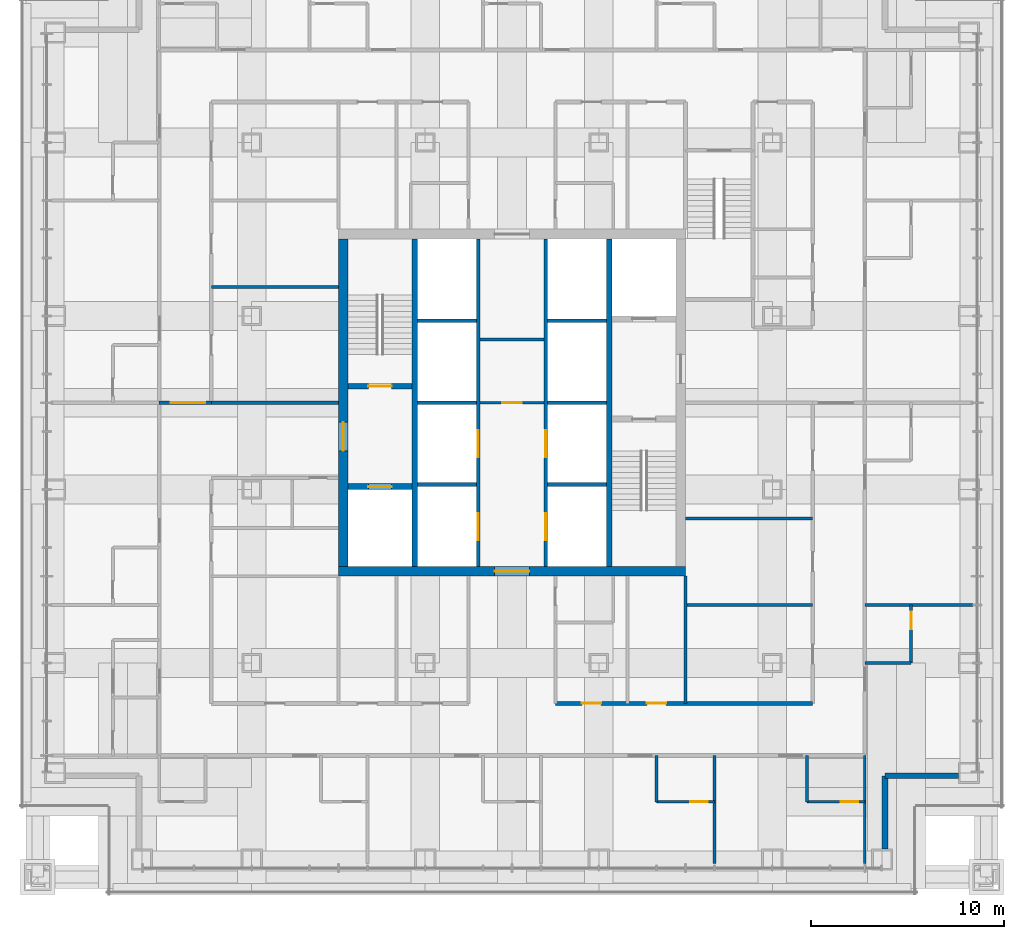
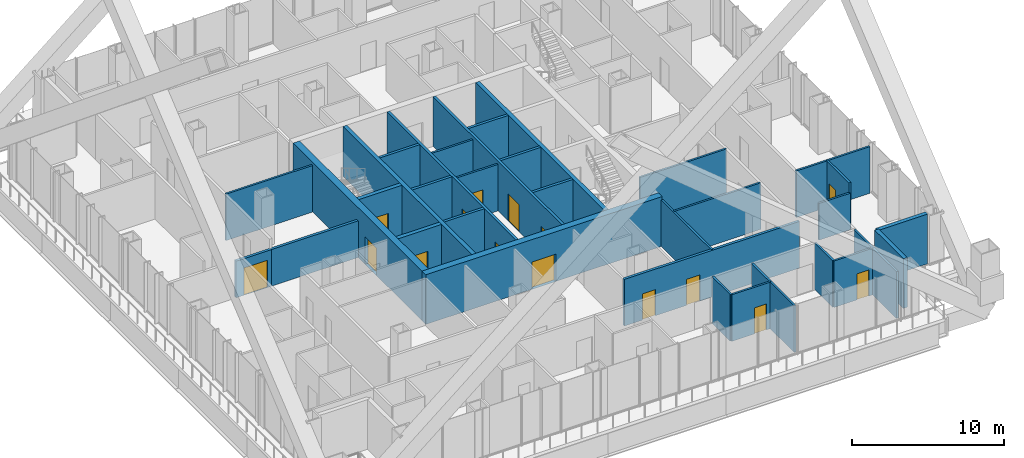
# One storey, part 16 of 20: 34 walls, 15 doors, 15 openings.
"""IFC4 building model written with IfcOpenShell, lengths in metres."""

from ifc_helpers import new_model, si_unit, direction, frame, frame_2d, origin, place, context, subcontext, project, spatial, rectangle, extrude, material, layer, layer_set, type_object, element, fill, save


model = new_model("IFC4")

# Units and contexts
model_context = context("Model", 3, precision=1e-05, world=origin(), true_north=direction((0.0, 1.0)))
body_context = subcontext(model_context, "Body", "Model", "MODEL_VIEW")
ifc_project = project(units=[si_unit("LENGTHUNIT", "METRE"), si_unit("AREAUNIT", "SQUARE_METRE"), si_unit("VOLUMEUNIT", "CUBIC_METRE"), si_unit("PLANEANGLEUNIT", "RADIAN"), si_unit("MASSUNIT", "GRAM", prefix="KILO")], contexts=[model_context])

# Site, building, storey
site_placement = place(None, origin())
site = spatial("IfcSite", under=ifc_project, at=site_placement, CompositionType="ELEMENT")
building_placement = place(site_placement, origin())
building = spatial("IfcBuilding", under=site, at=building_placement, Name="Malebo Sky Hospital", CompositionType="ELEMENT")
storey_placement = place(building_placement, frame((0.0, 0.0, 100.0)))
storey = spatial("IfcBuildingStorey", under=building, at=storey_placement, Name="L23", CompositionType="ELEMENT", Elevation=100.0)

# Wall, openings, doors
ifc_material_1 = material(Name="Concrete C80/95", Category="concrete")
ifc_layer_1 = layer(ifc_material_1, 0.199951171875)
ifc_layer_set_1 = layer_set([ifc_layer_1], Name="CORE INNER WALL 200")
wall_type_1 = type_object("IfcWallType", Name="CORE INNER WALL 200", PredefinedType="SHEAR", material=ifc_layer_set_1)
wall_1_placement = place(storey_placement, frame((58.25, 53.5, 0.0), z_axis=(0.0, 0.0, 1.0), x_axis=(0.0, 1.0, 0.0)))
wall_1 = element("IfcWall", 1, at=wall_1_placement, inside=storey, type_object=wall_type_1, Name="Core wall LW L23", PredefinedType="SHEAR", context=body_context, shape_type="SweptSolid", body=[
    extrude(rectangle(XDim=17.0, YDim=0.199951171875, at=frame_2d((8.5, 0.0))), origin(), (0.0, 0.0, 1.0), 4.0),
])
opening_1_placement = place(wall_1_placement, frame((1.375, 0.0, 0.0)))
opening_1 = element("IfcOpeningElement", 2, at=opening_1_placement, cuts=wall_1, Name="Opening LD1", PredefinedType="OPENING", context=body_context, shape_type="SweptSolid", body=[
    extrude(rectangle(XDim=1.39990234375, YDim=2.199951171875, at=frame_2d((0.699951171875, 1.10009765625))), frame((0.0, 0.10986328125, 0.0), z_axis=(0.0, -1.0, 0.0), x_axis=(1.0, 0.0, 0.0)), (0.0, 0.0, 1.0), 0.219970703125),
])
opening_2_placement = place(wall_1_placement, frame((5.675048828125, 0.0, 0.0)))
opening_2 = element("IfcOpeningElement", 3, at=opening_2_placement, cuts=wall_1, Name="Opening LD1", PredefinedType="OPENING", context=body_context, shape_type="SweptSolid", body=[
    extrude(rectangle(XDim=1.39990234375, YDim=2.199951171875, at=frame_2d((0.699951171875, 1.10009765625))), frame((0.0, 0.10986328125, 0.0), z_axis=(0.0, -1.0, 0.0), x_axis=(1.0, 0.0, 0.0)), (0.0, 0.0, 1.0), 0.219970703125),
])
ifc_material_2 = material(Name="Stainless steel sliding landing door", Category="steel")
door_type_1 = type_object("IfcDoorType", Name="LIFT LANDING DOOR 1400", OperationType="SLIDING_TO_LEFT", PredefinedType="DOOR", material=ifc_material_2)
door_1_placement = place(opening_1_placement, origin())
door_1 = element("IfcDoor", 4, at=door_1_placement, inside=storey, type_object=door_type_1, Name="Lift W1 landing door", OperationType="SLIDING_TO_LEFT", OverallHeight=2.199951171875, OverallWidth=1.39990234375, PredefinedType="DOOR", context=body_context, shape_type="SweptSolid", body=[
    extrude(rectangle(XDim=1.39990234375, YDim=2.199951171875, at=frame_2d((0.699951171875, 1.10009765625))), frame((0.0, 0.02490234375, 0.0), z_axis=(0.0, -1.0, 0.0), x_axis=(1.0, 0.0, 0.0)), (0.0, 0.0, 1.0), 0.050048828125),
])
fill(opening_1, door_1)
door_2_placement = place(opening_2_placement, origin())
door_2 = element("IfcDoor", 5, at=door_2_placement, inside=storey, type_object=door_type_1, Name="Lift W2 landing door", OperationType="SLIDING_TO_LEFT", OverallHeight=2.199951171875, OverallWidth=1.39990234375, PredefinedType="DOOR", context=body_context, shape_type="SweptSolid", body=[
    extrude(rectangle(XDim=1.39990234375, YDim=2.199951171875, at=frame_2d((0.699951171875, 1.10009765625))), frame((0.0, 0.02490234375, 0.0), z_axis=(0.0, -1.0, 0.0), x_axis=(1.0, 0.0, 0.0)), (0.0, 0.0, 1.0), 0.050048828125),
])
fill(opening_2, door_2)

wall_2_placement = place(storey_placement, frame((61.75, 53.5, 0.0), z_axis=(0.0, 0.0, 1.0), x_axis=(0.0, 1.0, 0.0)))
wall_2 = element("IfcWall", 6, at=wall_2_placement, inside=storey, type_object=wall_type_1, Name="Core wall LE L23", PredefinedType="SHEAR", context=body_context, shape_type="SweptSolid", body=[
    extrude(rectangle(XDim=17.0, YDim=0.199951171875, at=frame_2d((8.5, 0.0))), origin(), (0.0, 0.0, 1.0), 4.0),
])
opening_3_placement = place(wall_2_placement, frame((1.375, 0.0, 0.0)))
opening_3 = element("IfcOpeningElement", 7, at=opening_3_placement, cuts=wall_2, Name="Opening LD1", PredefinedType="OPENING", context=body_context, shape_type="SweptSolid", body=[
    extrude(rectangle(XDim=1.39990234375, YDim=2.199951171875, at=frame_2d((0.699951171875, 1.10009765625))), frame((0.0, 0.10986328125, 0.0), z_axis=(0.0, -1.0, 0.0), x_axis=(1.0, 0.0, 0.0)), (0.0, 0.0, 1.0), 0.219970703125),
])
opening_4_placement = place(wall_2_placement, frame((5.675048828125, 0.0, 0.0)))
opening_4 = element("IfcOpeningElement", 8, at=opening_4_placement, cuts=wall_2, Name="Opening LD1", PredefinedType="OPENING", context=body_context, shape_type="SweptSolid", body=[
    extrude(rectangle(XDim=1.39990234375, YDim=2.199951171875, at=frame_2d((0.699951171875, 1.10009765625))), frame((0.0, 0.10986328125, 0.0), z_axis=(0.0, -1.0, 0.0), x_axis=(1.0, 0.0, 0.0)), (0.0, 0.0, 1.0), 0.219970703125),
])
door_3_placement = place(opening_3_placement, origin())
door_3 = element("IfcDoor", 9, at=door_3_placement, inside=storey, type_object=door_type_1, Name="Lift E1 landing door", OperationType="SLIDING_TO_LEFT", OverallHeight=2.199951171875, OverallWidth=1.39990234375, PredefinedType="DOOR", context=body_context, shape_type="SweptSolid", body=[
    extrude(rectangle(XDim=1.39990234375, YDim=2.199951171875, at=frame_2d((0.699951171875, 1.10009765625))), frame((0.0, 0.02490234375, 0.0), z_axis=(0.0, -1.0, 0.0), x_axis=(1.0, 0.0, 0.0)), (0.0, 0.0, 1.0), 0.050048828125),
])
fill(opening_3, door_3)
door_4_placement = place(opening_4_placement, origin())
door_4 = element("IfcDoor", 10, at=door_4_placement, inside=storey, type_object=door_type_1, Name="Lift E2 landing door", OperationType="SLIDING_TO_LEFT", OverallHeight=2.199951171875, OverallWidth=1.39990234375, PredefinedType="DOOR", context=body_context, shape_type="SweptSolid", body=[
    extrude(rectangle(XDim=1.39990234375, YDim=2.199951171875, at=frame_2d((0.699951171875, 1.10009765625))), frame((0.0, 0.02490234375, 0.0), z_axis=(0.0, -1.0, 0.0), x_axis=(1.0, 0.0, 0.0)), (0.0, 0.0, 1.0), 0.050048828125),
])
fill(opening_4, door_4)

# Walls
for number, where, z_axis, x_axis, name in (
    (11, (55.10009765625, 57.75, 0.0), (0.0, 0.0, 1.0), (1.0, 0.0, 0.0), "Core wall SW0 L23"),
    (12, (61.85009765625, 57.75, 0.0), (0.0, 0.0, 1.0), (1.0, 0.0, 0.0), "Core wall SE0 L23"),
    (13, (55.10009765625, 62.0, 0.0), (0.0, 0.0, 1.0), (1.0, 0.0, 0.0), "Core wall SW1 L23"),
    (14, (61.85009765625, 62.0, 0.0), (0.0, 0.0, 1.0), (1.0, 0.0, 0.0), "Core wall SE1 L23"),
    (15, (55.10009765625, 66.25, 0.0), (0.0, 0.0, 1.0), (1.0, 0.0, 0.0), "Core wall SW2 L23"),
    (16, (61.85009765625, 66.25, 0.0), (0.0, 0.0, 1.0), (1.0, 0.0, 0.0), "Core wall SE2 L23"),
):
    element("IfcWall", number, at=place(storey_placement, frame(where, z_axis=z_axis, x_axis=x_axis)), inside=storey, type_object=wall_type_1, Name=name, PredefinedType="SHEAR", context=body_context, shape_type="SweptSolid", body=[
        extrude(rectangle(XDim=3.0498046875, YDim=0.199951171875, at=frame_2d((1.52490234375, 0.0))), origin(), (0.0, 0.0, 1.0), 4.0),
    ])
ifc_layer_2 = layer(ifc_material_1, 0.300048828125)
ifc_layer_set_2 = layer_set([ifc_layer_2], Name="CORE INNER WALL 300")
wall_type_2 = type_object("IfcWallType", Name="CORE INNER WALL 300", PredefinedType="SHEAR", material=ifc_layer_set_2)
for number, where, z_axis, x_axis, name in (
    (17, (54.949951171875, 53.5, 0.0), (0.0, 0.0, 1.0), (0.0, 1.0, 0.0), "Core wall XW L23"),
    (18, (65.050048828125, 53.5, 0.0), (0.0, 0.0, 1.0), (0.0, 1.0, 0.0), "Core wall XE L23"),
):
    element("IfcWall", number, at=place(storey_placement, frame(where, z_axis=z_axis, x_axis=x_axis)), inside=storey, type_object=wall_type_2, Name=name, PredefinedType="SHEAR", context=body_context, shape_type="SweptSolid", body=[
        extrude(rectangle(XDim=17.0, YDim=0.300048828125, at=frame_2d((8.5, 0.0))), origin(), (0.0, 0.0, 1.0), 4.0),
    ])

# Wall, opening, door
wall_3_placement = place(storey_placement, frame((51.5, 62.85009765625, 0.0), z_axis=(0.0, 0.0, 1.0), x_axis=(1.0, 0.0, 0.0)))
wall_3 = element("IfcWall", 19, at=wall_3_placement, inside=storey, type_object=wall_type_2, Name="Core wall W1 L23", PredefinedType="SHEAR", context=body_context, shape_type="SweptSolid", body=[
    extrude(rectangle(XDim=3.300048828125, YDim=0.300048828125, at=frame_2d((1.64990234375, 0.0))), origin(), (0.0, 0.0, 1.0), 4.0),
])
opening_5_placement = place(wall_3_placement, frame((1.050048828125, 0.0, 0.0)))
opening_5 = element("IfcOpeningElement", 20, at=opening_5_placement, cuts=wall_3, Name="Opening D08", PredefinedType="OPENING", context=body_context, shape_type="SweptSolid", body=[
    extrude(rectangle(XDim=1.199951171875, YDim=2.10009765625, at=frame_2d((0.60009765625, 1.050048828125))), frame((0.0, 0.159912109375, 0.0), z_axis=(0.0, -1.0, 0.0), x_axis=(1.0, 0.0, 0.0)), (0.0, 0.0, 1.0), 0.320068359375),
])
ifc_material_3 = material(Name="Hardwood-faced door leaf in steel frame", Category="steel")
door_type_2 = type_object("IfcDoorType", Name="STAIR DOOR 1200", OperationType="SINGLE_SWING_LEFT", PredefinedType="DOOR", material=ifc_material_3)
door_5_placement = place(opening_5_placement, origin())
door_5 = element("IfcDoor", 21, at=door_5_placement, inside=storey, type_object=door_type_2, Name="Stair S1 door", OperationType="SINGLE_SWING_LEFT", OverallHeight=2.10009765625, OverallWidth=1.199951171875, PredefinedType="DOOR", context=body_context, shape_type="SweptSolid", body=[
    extrude(rectangle(XDim=1.199951171875, YDim=2.10009765625, at=frame_2d((0.60009765625, 1.050048828125))), frame((0.0, 0.02490234375, 0.0), z_axis=(0.0, -1.0, 0.0), x_axis=(1.0, 0.0, 0.0)), (0.0, 0.0, 1.0), 0.050048828125),
])
fill(opening_5, door_5)

wall_4_placement = place(storey_placement, frame((51.5, 57.64990234375, 0.0), z_axis=(0.0, 0.0, 1.0), x_axis=(1.0, 0.0, 0.0)))
wall_4 = element("IfcWall", 22, at=wall_4_placement, inside=storey, type_object=wall_type_2, Name="Core wall W2 L23", PredefinedType="SHEAR", context=body_context, shape_type="SweptSolid", body=[
    extrude(rectangle(XDim=3.300048828125, YDim=0.300048828125, at=frame_2d((1.64990234375, 0.0))), origin(), (0.0, 0.0, 1.0), 4.0),
])
opening_6_placement = place(wall_4_placement, frame((1.050048828125, 0.0, 0.0)))
opening_6 = element("IfcOpeningElement", 23, at=opening_6_placement, cuts=wall_4, Name="Opening LD2", PredefinedType="OPENING", context=body_context, shape_type="SweptSolid", body=[
    extrude(rectangle(XDim=1.199951171875, YDim=2.199951171875, at=frame_2d((0.60009765625, 1.10009765625))), frame((0.0, 0.159912109375, 0.0), z_axis=(0.0, -1.0, 0.0), x_axis=(1.0, 0.0, 0.0)), (0.0, 0.0, 1.0), 0.320068359375),
])
door_type_3 = type_object("IfcDoorType", Name="FIRE-FIGHTING LIFT LANDING DOOR 1200", OperationType="SLIDING_TO_LEFT", PredefinedType="DOOR", material=ifc_material_2)
door_6_placement = place(opening_6_placement, origin())
door_6 = element("IfcDoor", 24, at=door_6_placement, inside=storey, type_object=door_type_3, Name="Lift FL1 landing door", OperationType="SLIDING_TO_LEFT", OverallHeight=2.199951171875, OverallWidth=1.199951171875, PredefinedType="DOOR", context=body_context, shape_type="SweptSolid", body=[
    extrude(rectangle(XDim=1.199951171875, YDim=2.199951171875, at=frame_2d((0.60009765625, 1.10009765625))), frame((0.0, 0.02490234375, 0.0), z_axis=(0.0, -1.0, 0.0), x_axis=(1.0, 0.0, 0.0)), (0.0, 0.0, 1.0), 0.050048828125),
])
fill(opening_6, door_6)

ifc_layer_3 = layer(ifc_material_1, 0.5)
ifc_layer_set_3 = layer_set([ifc_layer_3], Name="CORE WALL 500")
wall_type_3 = type_object("IfcWallType", Name="CORE WALL 500", PredefinedType="SHEAR", material=ifc_layer_set_3)
wall_5_placement = place(storey_placement, frame((51.0, 53.25, 0.0), z_axis=(0.0, 0.0, 1.0), x_axis=(1.0, 0.0, 0.0)))
wall_5 = element("IfcWall", 25, at=wall_5_placement, inside=storey, type_object=wall_type_3, Name="Core wall S L23", PredefinedType="SHEAR", context=body_context, shape_type="SweptSolid", body=[
    extrude(rectangle(XDim=18.0, YDim=0.5, at=frame_2d((9.0, 0.0))), origin(), (0.0, 0.0, 1.0), 4.0),
])
opening_7_placement = place(wall_5_placement, frame((8.10009765625, 0.0, 0.0)))
opening_7 = element("IfcOpeningElement", 26, at=opening_7_placement, cuts=wall_5, Name="Opening D06", PredefinedType="OPENING", context=body_context, shape_type="SweptSolid", body=[
    extrude(rectangle(XDim=1.800048828125, YDim=2.199951171875, at=frame_2d((0.89990234375, 1.10009765625))), frame((0.0, 0.260009765625, 0.0), z_axis=(0.0, -1.0, 0.0), x_axis=(1.0, 0.0, 0.0)), (0.0, 0.0, 1.0), 0.52001953125),
])
door_type_4 = type_object("IfcDoorType", Name="LOBBY DOOR PAIR 1800", OperationType="DOUBLE_DOOR_SINGLE_SWING", PredefinedType="DOOR", material=ifc_material_3)
door_7_placement = place(opening_7_placement, origin())
door_7 = element("IfcDoor", 27, at=door_7_placement, inside=storey, type_object=door_type_4, Name="Lift lobby door south", OperationType="DOUBLE_DOOR_SINGLE_SWING", OverallHeight=2.199951171875, OverallWidth=1.800048828125, PredefinedType="DOOR", context=body_context, shape_type="SweptSolid", body=[
    extrude(rectangle(XDim=1.800048828125, YDim=2.199951171875, at=frame_2d((0.89990234375, 1.10009765625))), frame((0.0, 0.02490234375, 0.0), z_axis=(0.0, -1.0, 0.0), x_axis=(1.0, 0.0, 0.0)), (0.0, 0.0, 1.0), 0.050048828125),
])
fill(opening_7, door_7)

wall_6_placement = place(storey_placement, frame((51.25, 53.5, 0.0), z_axis=(0.0, 0.0, 1.0), x_axis=(0.0, 1.0, 0.0)))
wall_6 = element("IfcWall", 28, at=wall_6_placement, inside=storey, type_object=wall_type_3, Name="Core wall W L23", PredefinedType="SHEAR", context=body_context, shape_type="SweptSolid", body=[
    extrude(rectangle(XDim=17.0, YDim=0.5, at=frame_2d((8.5, 0.0))), origin(), (0.0, 0.0, 1.0), 4.0),
])
opening_8_placement = place(wall_6_placement, frame((6.0, 0.0, 0.0)))
opening_8 = element("IfcOpeningElement", 29, at=opening_8_placement, cuts=wall_6, Name="Opening D07", PredefinedType="OPENING", context=body_context, shape_type="SweptSolid", body=[
    extrude(rectangle(XDim=1.5, YDim=2.199951171875, at=frame_2d((0.75, 1.10009765625))), frame((0.0, 0.260009765625, 0.0), z_axis=(0.0, -1.0, 0.0), x_axis=(1.0, 0.0, 0.0)), (0.0, 0.0, 1.0), 0.52001953125),
])
door_type_5 = type_object("IfcDoorType", Name="FIRE-FIGHTING LOBBY DOOR PAIR 1500", OperationType="DOUBLE_DOOR_SINGLE_SWING", PredefinedType="DOOR", material=ifc_material_3)
door_8_placement = place(opening_8_placement, origin())
door_8 = element("IfcDoor", 30, at=door_8_placement, inside=storey, type_object=door_type_5, Name="Fire-fighting lobby door west", OperationType="DOUBLE_DOOR_SINGLE_SWING", OverallHeight=2.199951171875, OverallWidth=1.5, PredefinedType="DOOR", context=body_context, shape_type="SweptSolid", body=[
    extrude(rectangle(XDim=1.5, YDim=2.199951171875, at=frame_2d((0.75, 1.10009765625))), frame((0.0, 0.02490234375, 0.0), z_axis=(0.0, -1.0, 0.0), x_axis=(1.0, 0.0, 0.0)), (0.0, 0.0, 1.0), 0.050048828125),
])
fill(opening_8, door_8)

# Wall, openings, doors
ifc_material_4 = material(Name="Gypsum board on steel studs", Category="steel")
ifc_layer_4 = layer(ifc_material_4, 0.199951171875)
ifc_layer_set_4 = layer_set([ifc_layer_4], Name="CORRIDOR WALL 200")
wall_type_4 = type_object("IfcWallType", Name="CORRIDOR WALL 200", PredefinedType="PARTITIONING", material=ifc_layer_set_4)
wall_7_placement = place(storey_placement, frame((75.60009765625, 46.39990234375, 0.0), z_axis=(0.0, 0.0, 1.0), x_axis=(-1.0, 0.0, 0.0)))
wall_7 = element("IfcWall", 31, at=wall_7_placement, inside=storey, type_object=wall_type_4, Name="Corridor Wall 200 SCI1", PredefinedType="PARTITIONING", context=body_context, shape_type="SweptSolid", body=[
    extrude(rectangle(XDim=13.35009765625, YDim=0.199951171875, at=frame_2d((6.675048828125, 0.0))), origin(), (0.0, 0.0, 1.0), 3.75),
])
opening_9_placement = place(wall_7_placement, frame((7.60009765625, 0.0, 0.0)))
opening_9 = element("IfcOpeningElement", 32, at=opening_9_placement, cuts=wall_7, Name="Opening D03", PredefinedType="OPENING", context=body_context, shape_type="SweptSolid", body=[
    extrude(rectangle(XDim=1.0, YDim=2.10009765625, at=frame_2d((0.5, 1.050048828125))), frame((0.0, 0.10986328125, 0.0), z_axis=(0.0, -1.0, 0.0), x_axis=(1.0, 0.0, 0.0)), (0.0, 0.0, 1.0), 0.219970703125),
])
opening_10_placement = place(wall_7_placement, frame((10.97509765625, 0.0, 0.0)))
opening_10 = element("IfcOpeningElement", 33, at=opening_10_placement, cuts=wall_7, Name="Opening D03", PredefinedType="OPENING", context=body_context, shape_type="SweptSolid", body=[
    extrude(rectangle(XDim=1.0, YDim=2.10009765625, at=frame_2d((0.5, 1.050048828125))), frame((0.0, 0.10986328125, 0.0), z_axis=(0.0, -1.0, 0.0), x_axis=(1.0, 0.0, 0.0)), (0.0, 0.0, 1.0), 0.219970703125),
])
door_type_6 = type_object("IfcDoorType", Name="ROOM DOOR 1000", OperationType="SINGLE_SWING_LEFT", PredefinedType="DOOR", material=ifc_material_3)
door_9_placement = place(opening_9_placement, origin())
door_9 = element("IfcDoor", 34, at=door_9_placement, inside=storey, type_object=door_type_6, Name="Relatives' room door", OperationType="SINGLE_SWING_LEFT", OverallHeight=2.10009765625, OverallWidth=1.0, PredefinedType="DOOR", context=body_context, shape_type="SweptSolid", body=[
    extrude(rectangle(XDim=1.0, YDim=2.10009765625, at=frame_2d((0.5, 1.050048828125))), frame((0.0, 0.02490234375, 0.0), z_axis=(0.0, -1.0, 0.0), x_axis=(1.0, 0.0, 0.0)), (0.0, 0.0, 1.0), 0.050048828125),
])
fill(opening_9, door_9)
door_10_placement = place(opening_10_placement, origin())
door_10 = element("IfcDoor", 35, at=door_10_placement, inside=storey, type_object=door_type_6, Name="Dirty utility room door", OperationType="SINGLE_SWING_LEFT", OverallHeight=2.10009765625, OverallWidth=1.0, PredefinedType="DOOR", context=body_context, shape_type="SweptSolid", body=[
    extrude(rectangle(XDim=1.0, YDim=2.10009765625, at=frame_2d((0.5, 1.050048828125))), frame((0.0, 0.02490234375, 0.0), z_axis=(0.0, -1.0, 0.0), x_axis=(1.0, 0.0, 0.0)), (0.0, 0.0, 1.0), 0.050048828125),
])
fill(opening_10, door_10)

# Walls
ifc_material_5 = material(Name="Anodised aluminium rainscreen on steel framing", Category="steel")
ifc_layer_5 = layer(ifc_material_5, 0.300048828125)
ifc_layer_set_5 = layer_set([ifc_layer_5], Name="NOTCH RAINSCREEN WALL 300")
wall_type_5 = type_object("IfcWallType", Name="NOTCH RAINSCREEN WALL 300", PredefinedType="ELEMENTEDWALL", material=ifc_layer_set_5)
for number, where, z_axis, x_axis, name in (
    (36, (83.14990234375, 42.64990234375, 0.0), (0.0, 0.0, 1.0), (-1.0, 0.0, 0.0), "Notch rainscreen wall E1 L23"),
    (37, (79.35009765625, 42.64990234375, 0.0), (0.0, 0.0, 1.0), (0.0, -1.0, 0.0), "Notch rainscreen wall E2 L23"),
):
    element("IfcWall", number, at=place(storey_placement, frame(where, z_axis=z_axis, x_axis=x_axis)), inside=storey, type_object=wall_type_5, Name=name, PredefinedType="ELEMENTEDWALL", context=body_context, shape_type="SweptSolid", body=[
        extrude(rectangle(XDim=3.7998046875, YDim=0.300048828125, at=frame_2d((1.89990234375, 0.0))), origin(), (0.0, 0.0, 1.0), 4.0),
    ])
ifc_layer_6 = layer(ifc_material_4, 0.14990234375)
ifc_layer_set_6 = layer_set([ifc_layer_6], Name="PARTITION 150")
wall_type_6 = type_object("IfcWallType", Name="PARTITION 150", PredefinedType="PARTITIONING", material=ifc_layer_set_6)
wall_8_placement = place(storey_placement, frame((51.0, 68.0, 0.0), z_axis=(0.0, 0.0, 1.0), x_axis=(-1.0, 0.0, 0.0)))
element("IfcWall", 38, at=wall_8_placement, inside=storey, type_object=wall_type_6, Name="Partition 150 WSP+6.0", PredefinedType="PARTITIONING", context=body_context, shape_type="SweptSolid", body=[
    extrude(rectangle(XDim=6.60009765625, YDim=0.14990234375, at=frame_2d((3.300048828125, 0.0))), origin(), (0.0, 0.0, 1.0), 3.75),
])
for number, where, z_axis, x_axis, name in (
    (39, (70.5, 43.699951171875, 0.0), (0.0, 0.0, 1.0), (0.0, -1.0, 0.0), "Partition 150 SP-10.5"),
    (40, (78.300048828125, 43.699951171875, 0.0), (0.0, 0.0, 1.0), (0.0, -1.0, 0.0), "Partition 150 SP0"),
):
    element("IfcWall", number, at=place(storey_placement, frame(where, z_axis=z_axis, x_axis=x_axis)), inside=storey, type_object=wall_type_6, Name=name, PredefinedType="PARTITIONING", context=body_context, shape_type="SweptSolid", body=[
        extrude(rectangle(XDim=5.60986328125, YDim=0.14990234375, at=frame_2d((2.804931640625, 0.0))), origin(), (0.0, 0.0, 1.0), 3.75),
    ])

# Wall, opening, door
wall_9_placement = place(storey_placement, frame((78.300048828125, 41.300048828125, 0.0), z_axis=(0.0, 0.0, 1.0), x_axis=(-1.0, 0.0, 0.0)))
wall_9 = element("IfcWall", 41, at=wall_9_placement, inside=storey, type_object=wall_type_6, Name="Partition 150 SE0F", PredefinedType="PARTITIONING", context=body_context, shape_type="SweptSolid", body=[
    extrude(rectangle(XDim=3.0, YDim=0.14990234375, at=frame_2d((1.5, 0.0))), origin(), (0.0, 0.0, 1.0), 3.75),
])
opening_11_placement = place(wall_9_placement, frame((0.35009765625, 0.0, 0.0)))
opening_11 = element("IfcOpeningElement", 42, at=opening_11_placement, cuts=wall_9, Name="Opening D02", PredefinedType="OPENING", context=body_context, shape_type="SweptSolid", body=[
    extrude(rectangle(XDim=0.89990234375, YDim=2.10009765625, at=frame_2d((0.449951171875, 1.050048828125))), frame((0.0, 0.0849609375, 0.0), z_axis=(0.0, -1.0, 0.0), x_axis=(1.0, 0.0, 0.0)), (0.0, 0.0, 1.0), 0.169921875),
])
door_type_7 = type_object("IfcDoorType", Name="EN-SUITE DOOR 900", OperationType="SINGLE_SWING_LEFT", PredefinedType="DOOR", material=ifc_material_3)
door_11_placement = place(opening_11_placement, origin())
door_11 = element("IfcDoor", 43, at=door_11_placement, inside=storey, type_object=door_type_7, Name="En-suite door", OperationType="SINGLE_SWING_LEFT", OverallHeight=2.10009765625, OverallWidth=0.89990234375, PredefinedType="DOOR", context=body_context, shape_type="SweptSolid", body=[
    extrude(rectangle(XDim=0.89990234375, YDim=2.10009765625, at=frame_2d((0.449951171875, 1.050048828125))), frame((0.0, 0.02490234375, 0.0), z_axis=(0.0, -1.0, 0.0), x_axis=(1.0, 0.0, 0.0)), (0.0, 0.0, 1.0), 0.050048828125),
])
fill(opening_11, door_11)

# Wall
wall_10_placement = place(storey_placement, frame((75.300048828125, 43.699951171875, 0.0), z_axis=(0.0, 0.0, 1.0), x_axis=(0.0, -1.0, 0.0)))
element("IfcWall", 44, at=wall_10_placement, inside=storey, type_object=wall_type_6, Name="Partition 150 SE0S", PredefinedType="PARTITIONING", context=body_context, shape_type="SweptSolid", body=[
    extrude(rectangle(XDim=2.39990234375, YDim=0.14990234375, at=frame_2d((1.199951171875, 0.0))), origin(), (0.0, 0.0, 1.0), 3.75),
])

# Wall, opening, door
wall_11_placement = place(storey_placement, frame((70.5, 41.300048828125, 0.0), z_axis=(0.0, 0.0, 1.0), x_axis=(-1.0, 0.0, 0.0)))
wall_11 = element("IfcWall", 45, at=wall_11_placement, inside=storey, type_object=wall_type_6, Name="Partition 150 SE1F", PredefinedType="PARTITIONING", context=body_context, shape_type="SweptSolid", body=[
    extrude(rectangle(XDim=3.0, YDim=0.14990234375, at=frame_2d((1.5, 0.0))), origin(), (0.0, 0.0, 1.0), 3.75),
])
opening_12_placement = place(wall_11_placement, frame((0.35009765625, 0.0, 0.0)))
opening_12 = element("IfcOpeningElement", 46, at=opening_12_placement, cuts=wall_11, Name="Opening D02", PredefinedType="OPENING", context=body_context, shape_type="SweptSolid", body=[
    extrude(rectangle(XDim=0.89990234375, YDim=2.10009765625, at=frame_2d((0.449951171875, 1.050048828125))), frame((0.0, 0.0849609375, 0.0), z_axis=(0.0, -1.0, 0.0), x_axis=(1.0, 0.0, 0.0)), (0.0, 0.0, 1.0), 0.169921875),
])
door_12_placement = place(opening_12_placement, origin())
door_12 = element("IfcDoor", 47, at=door_12_placement, inside=storey, type_object=door_type_7, Name="En-suite door", OperationType="SINGLE_SWING_LEFT", OverallHeight=2.10009765625, OverallWidth=0.89990234375, PredefinedType="DOOR", context=body_context, shape_type="SweptSolid", body=[
    extrude(rectangle(XDim=0.89990234375, YDim=2.10009765625, at=frame_2d((0.449951171875, 1.050048828125))), frame((0.0, 0.02490234375, 0.0), z_axis=(0.0, -1.0, 0.0), x_axis=(1.0, 0.0, 0.0)), (0.0, 0.0, 1.0), 0.050048828125),
])
fill(opening_12, door_12)

# Walls
wall_12_placement = place(storey_placement, frame((67.5, 43.699951171875, 0.0), z_axis=(0.0, 0.0, 1.0), x_axis=(0.0, -1.0, 0.0)))
element("IfcWall", 48, at=wall_12_placement, inside=storey, type_object=wall_type_6, Name="Partition 150 SE1S", PredefinedType="PARTITIONING", context=body_context, shape_type="SweptSolid", body=[
    extrude(rectangle(XDim=2.39990234375, YDim=0.14990234375, at=frame_2d((1.199951171875, 0.0))), origin(), (0.0, 0.0, 1.0), 3.75),
])
wall_13_placement = place(storey_placement, frame((69.0, 53.0, 0.0), z_axis=(0.0, 0.0, 1.0), x_axis=(0.0, -1.0, 0.0)))
element("IfcWall", 49, at=wall_13_placement, inside=storey, type_object=wall_type_6, Name="Partition 150 SSP0", PredefinedType="PARTITIONING", context=body_context, shape_type="SweptSolid", body=[
    extrude(rectangle(XDim=6.60009765625, YDim=0.14990234375, at=frame_2d((3.300048828125, 0.0))), origin(), (0.0, 0.0, 1.0), 3.75),
])
wall_14_placement = place(storey_placement, frame((78.300048828125, 51.5, 0.0), z_axis=(0.0, 0.0, 1.0), x_axis=(1.0, 0.0, 0.0)))
element("IfcWall", 50, at=wall_14_placement, inside=storey, type_object=wall_type_6, Name="Partition 150 EP+10.5", PredefinedType="PARTITIONING", context=body_context, shape_type="SweptSolid", body=[
    extrude(rectangle(XDim=5.60986328125, YDim=0.14990234375, at=frame_2d((2.804931640625, 0.0))), origin(), (0.0, 0.0, 1.0), 3.75),
])

# Wall, opening, door
wall_15_placement = place(storey_placement, frame((80.699951171875, 51.5, 0.0), z_axis=(0.0, 0.0, 1.0), x_axis=(0.0, -1.0, 0.0)))
wall_15 = element("IfcWall", 51, at=wall_15_placement, inside=storey, type_object=wall_type_6, Name="Partition 150 EE3F", PredefinedType="PARTITIONING", context=body_context, shape_type="SweptSolid", body=[
    extrude(rectangle(XDim=3.0, YDim=0.14990234375, at=frame_2d((1.5, 0.0))), origin(), (0.0, 0.0, 1.0), 3.75),
])
opening_13_placement = place(wall_15_placement, frame((0.35009765625, 0.0, 0.0)))
opening_13 = element("IfcOpeningElement", 52, at=opening_13_placement, cuts=wall_15, Name="Opening D02", PredefinedType="OPENING", context=body_context, shape_type="SweptSolid", body=[
    extrude(rectangle(XDim=0.89990234375, YDim=2.10009765625, at=frame_2d((0.449951171875, 1.050048828125))), frame((0.0, 0.0849609375, 0.0), z_axis=(0.0, -1.0, 0.0), x_axis=(1.0, 0.0, 0.0)), (0.0, 0.0, 1.0), 0.169921875),
])
door_13_placement = place(opening_13_placement, origin())
door_13 = element("IfcDoor", 53, at=door_13_placement, inside=storey, type_object=door_type_7, Name="En-suite door", OperationType="SINGLE_SWING_LEFT", OverallHeight=2.10009765625, OverallWidth=0.89990234375, PredefinedType="DOOR", context=body_context, shape_type="SweptSolid", body=[
    extrude(rectangle(XDim=0.89990234375, YDim=2.10009765625, at=frame_2d((0.449951171875, 1.050048828125))), frame((0.0, 0.02490234375, 0.0), z_axis=(0.0, -1.0, 0.0), x_axis=(1.0, 0.0, 0.0)), (0.0, 0.0, 1.0), 0.050048828125),
])
fill(opening_13, door_13)

# Walls
wall_16_placement = place(storey_placement, frame((78.300048828125, 48.5, 0.0), z_axis=(0.0, 0.0, 1.0), x_axis=(1.0, 0.0, 0.0)))
element("IfcWall", 54, at=wall_16_placement, inside=storey, type_object=wall_type_6, Name="Partition 150 EE3S", PredefinedType="PARTITIONING", context=body_context, shape_type="SweptSolid", body=[
    extrude(rectangle(XDim=2.39990234375, YDim=0.14990234375, at=frame_2d((1.199951171875, 0.0))), origin(), (0.0, 0.0, 1.0), 2.949951171875),
])
for number, where, z_axis, x_axis, name in (
    (55, (69.0, 56.0, 0.0), (0.0, 0.0, 1.0), (1.0, 0.0, 0.0), "Partition 150 ESP+6.0"),
    (56, (69.0, 51.5, 0.0), (0.0, 0.0, 1.0), (1.0, 0.0, 0.0), "Partition 150 ESP+10.5"),
):
    element("IfcWall", number, at=place(storey_placement, frame(where, z_axis=z_axis, x_axis=x_axis)), inside=storey, type_object=wall_type_6, Name=name, PredefinedType="PARTITIONING", context=body_context, shape_type="SweptSolid", body=[
        extrude(rectangle(XDim=6.60009765625, YDim=0.14990234375, at=frame_2d((3.300048828125, 0.0))), origin(), (0.0, 0.0, 1.0), 3.75),
    ])

# Wall, opening, door
wall_17_placement = place(storey_placement, frame((58.35009765625, 62.0, 0.0), z_axis=(0.0, 0.0, 1.0), x_axis=(1.0, 0.0, 0.0)))
wall_17 = element("IfcWall", 57, at=wall_17_placement, inside=storey, type_object=wall_type_6, Name="Partition 150 LBN", PredefinedType="PARTITIONING", context=body_context, shape_type="SweptSolid", body=[
    extrude(rectangle(XDim=3.2998046875, YDim=0.14990234375, at=frame_2d((1.64990234375, 0.0))), origin(), (0.0, 0.0, 1.0), 3.75),
])
opening_14_placement = place(wall_17_placement, frame((1.14990234375, 0.0, 0.0)))
opening_14 = element("IfcOpeningElement", 58, at=opening_14_placement, cuts=wall_17, Name="Opening D03", PredefinedType="OPENING", context=body_context, shape_type="SweptSolid", body=[
    extrude(rectangle(XDim=1.0, YDim=2.10009765625, at=frame_2d((0.5, 1.050048828125))), frame((0.0, 0.0849609375, 0.0), z_axis=(0.0, -1.0, 0.0), x_axis=(1.0, 0.0, 0.0)), (0.0, 0.0, 1.0), 0.169921875),
])
door_14_placement = place(opening_14_placement, origin())
door_14 = element("IfcDoor", 59, at=door_14_placement, inside=storey, type_object=door_type_6, Name="Equipment store door", OperationType="SINGLE_SWING_LEFT", OverallHeight=2.10009765625, OverallWidth=1.0, PredefinedType="DOOR", context=body_context, shape_type="SweptSolid", body=[
    extrude(rectangle(XDim=1.0, YDim=2.10009765625, at=frame_2d((0.5, 1.050048828125))), frame((0.0, 0.02490234375, 0.0), z_axis=(0.0, -1.0, 0.0), x_axis=(1.0, 0.0, 0.0)), (0.0, 0.0, 1.0), 0.050048828125),
])
fill(opening_14, door_14)

# Walls
wall_18_placement = place(storey_placement, frame((58.35009765625, 65.276611328125, 0.0), z_axis=(0.0, 0.0, 1.0), x_axis=(1.0, 0.0, 0.0)))
element("IfcWall", 60, at=wall_18_placement, inside=storey, type_object=wall_type_6, Name="Partition 150 LBN1", PredefinedType="PARTITIONING", context=body_context, shape_type="SweptSolid", body=[
    extrude(rectangle(XDim=3.2998046875, YDim=0.14990234375, at=frame_2d((1.64990234375, 0.0))), origin(), (0.0, 0.0, 1.0), 3.75),
])
ifc_material_6 = material(Name="Concrete blockwork", Category="masonry")
ifc_layer_7 = layer(ifc_material_6, 0.199951171875)
ifc_layer_set_7 = layer_set([ifc_layer_7], Name="SMOKE BARRIER WALL 200")
wall_type_7 = type_object("IfcWallType", Name="SMOKE BARRIER WALL 200", PredefinedType="SOLIDWALL", material=ifc_layer_set_7)
wall_19_placement = place(storey_placement, frame((51.0, 62.0, 0.0), z_axis=(0.0, 0.0, 1.0), x_axis=(-1.0, 0.0, 0.0)))
element("IfcWall", 61, at=wall_19_placement, inside=storey, type_object=wall_type_7, Name="Smoke Barrier Wall 200 WSPB", PredefinedType="SOLIDWALL", context=body_context, shape_type="SweptSolid", body=[
    extrude(rectangle(XDim=6.60009765625, YDim=0.199951171875, at=frame_2d((3.300048828125, 0.0))), origin(), (0.0, 0.0, 1.0), 2.949951171875),
])

# Wall, opening, door
wall_20_placement = place(storey_placement, frame((44.39990234375, 62.0, 0.0), z_axis=(0.0, 0.0, 1.0), x_axis=(-1.0, 0.0, 0.0)))
wall_20 = element("IfcWall", 62, at=wall_20_placement, inside=storey, type_object=wall_type_7, Name="Smoke Barrier Wall 200 WSB", PredefinedType="SOLIDWALL", context=body_context, shape_type="SweptSolid", body=[
    extrude(rectangle(XDim=2.699951171875, YDim=0.199951171875, at=frame_2d((1.35009765625, 0.0))), origin(), (0.0, 0.0, 1.0), 2.949951171875),
])
opening_15_placement = place(wall_20_placement, frame((0.300048828125, 0.0, 0.0)))
opening_15 = element("IfcOpeningElement", 63, at=opening_15_placement, cuts=wall_20, Name="Opening D05", PredefinedType="OPENING", context=body_context, shape_type="SweptSolid", body=[
    extrude(rectangle(XDim=1.800048828125, YDim=2.199951171875, at=frame_2d((0.89990234375, 1.10009765625))), frame((0.0, 0.10986328125, 0.0), z_axis=(0.0, -1.0, 0.0), x_axis=(1.0, 0.0, 0.0)), (0.0, 0.0, 1.0), 0.219970703125),
])
door_type_8 = type_object("IfcDoorType", Name="SMOKE DOOR PAIR 1800", OperationType="DOUBLE_DOOR_DOUBLE_SWING", PredefinedType="DOOR", material=ifc_material_3)
door_15_placement = place(opening_15_placement, origin())
door_15 = element("IfcDoor", 64, at=door_15_placement, inside=storey, type_object=door_type_8, Name="Smoke compartment door pair", OperationType="DOUBLE_DOOR_DOUBLE_SWING", OverallHeight=2.199951171875, OverallWidth=1.800048828125, PredefinedType="DOOR", context=body_context, shape_type="SweptSolid", body=[
    extrude(rectangle(XDim=1.800048828125, YDim=2.199951171875, at=frame_2d((0.89990234375, 1.10009765625))), frame((0.0, 0.02490234375, 0.0), z_axis=(0.0, -1.0, 0.0), x_axis=(1.0, 0.0, 0.0)), (0.0, 0.0, 1.0), 0.050048828125),
])
fill(opening_15, door_15)

save(model, "model.ifc")
